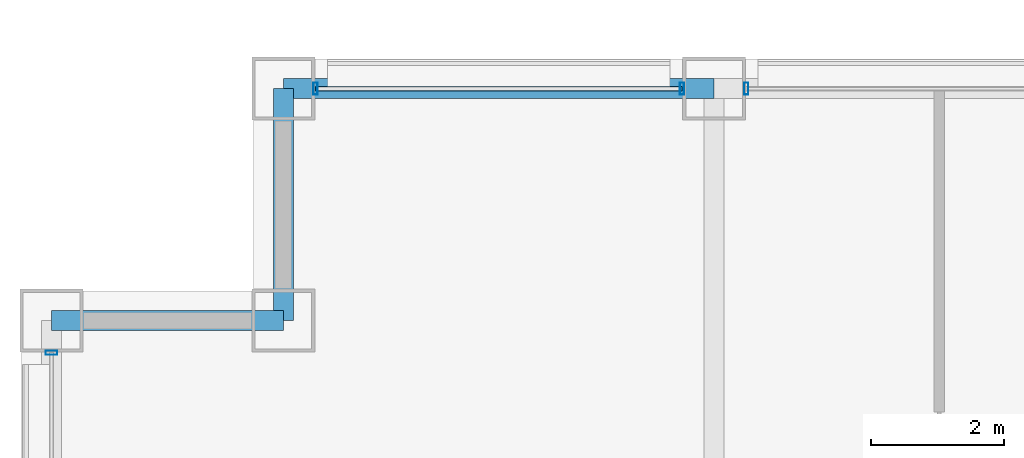
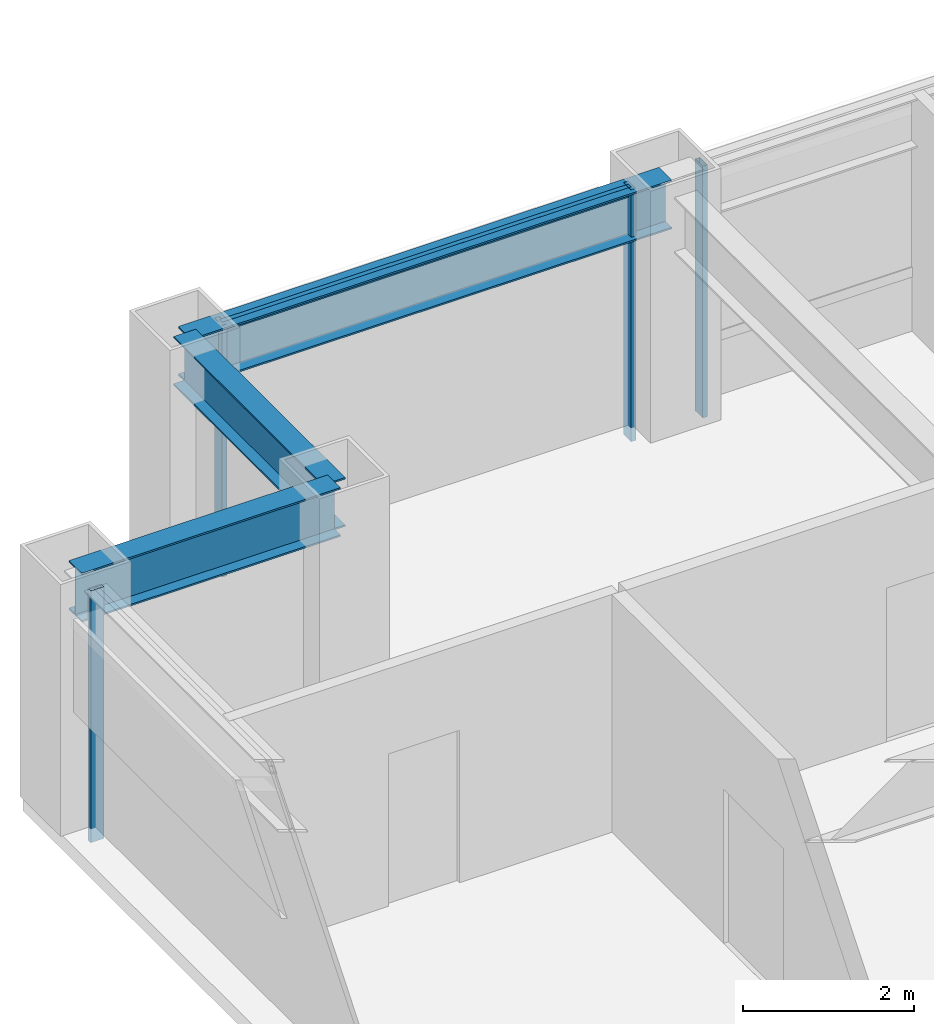
# One storey, part 17 of 28: 5 members, 3 beams, 3 elements without a shape of their own.
"""IFC4 building model written with IfcOpenShell, lengths in metres."""

from ifc_helpers import new_model, si_unit, direction, frame, origin, origin_2d, place, context, subcontext, project, spatial, hollow_rectangle, i_section, extrude, material, layer, layer_set, material_profile, profile_set, type_object, element, aggregate, save


model = new_model("IFC4")

# Units and contexts
model_context = context("Model", 3, precision=1e-05, world=origin(), true_north=direction((0.0, 1.0)))
body_context = subcontext(model_context, "Body", "Model", "MODEL_VIEW")
ifc_project = project(units=[si_unit("LENGTHUNIT", "METRE"), si_unit("AREAUNIT", "SQUARE_METRE"), si_unit("VOLUMEUNIT", "CUBIC_METRE"), si_unit("PLANEANGLEUNIT", "RADIAN"), si_unit("MASSUNIT", "GRAM", prefix="KILO")], contexts=[model_context])

# Site, building, storey
site_placement = place(None, origin())
site = spatial("IfcSite", under=ifc_project, at=site_placement, CompositionType="ELEMENT")
building_placement = place(site_placement, origin())
building = spatial("IfcBuilding", under=site, at=building_placement, Name="Brelmoor Portico Tower", CompositionType="ELEMENT")
storey_placement = place(building_placement, frame((0.0, 0.0, 49.199951171875)))
storey = spatial("IfcBuildingStorey", under=building, at=storey_placement, Name="L12", CompositionType="ELEMENT", Elevation=49.199951171875)

# Beams
ifc_material_1 = material(Name="Steel Q355B", Category="steel")
ifc_material_profile_1 = material_profile(ifc_material_1, i_section(OverallWidth=0.300048828125, OverallDepth=0.699951171875, WebThickness=0.012939453125, FlangeThickness=0.02392578125, at=origin_2d()), Name="HN 700x300x13x24")
ifc_profile_set_1 = profile_set([ifc_material_profile_1], Name="Steel Q355B")
beam_type = type_object("IfcBeamType", Name="BM-SP-700", PredefinedType="SPANDREL", material=ifc_profile_set_1)
beam_1_placement = place(storey_placement, frame((-24.550048828125, 18.050048828125, 3.050048828125), z_axis=(1.0, 0.0, 0.0), x_axis=(0.0, 1.0, 0.0)))
element("IfcBeam", 1, at=beam_1_placement, inside=storey, type_object=beam_type, Name="L12 Perimeter Spandrel Beam SP-08", PredefinedType="SPANDREL", context=body_context, shape_type="SweptSolid", body=[
    extrude(i_section(OverallWidth=0.300048828125, OverallDepth=0.699951171875, WebThickness=0.012939453125, FlangeThickness=0.02392578125, at=origin_2d()), origin(), (0.0, 0.0, 1.0), 3.5),
])
beam_2_placement = place(storey_placement, frame((-21.050048828125, 21.550048828125, 3.050048828125), z_axis=(1.0, 0.0, 0.0), x_axis=(0.0, 1.0, 0.0)))
element("IfcBeam", 2, at=beam_2_placement, inside=storey, type_object=beam_type, Name="L12 Perimeter Spandrel Beam SP-10", PredefinedType="SPANDREL", context=body_context, shape_type="SweptSolid", body=[
    extrude(i_section(OverallWidth=0.300048828125, OverallDepth=0.699951171875, WebThickness=0.012939453125, FlangeThickness=0.02392578125, at=origin_2d()), origin(), (0.0, 0.0, 1.0), 6.5),
])
beam_3_placement = place(storey_placement, frame((-21.050048828125, 18.050048828125, 3.050048828125), z_axis=(0.0, 1.0, 0.0), x_axis=(-1.0, 0.0, 0.0)))
element("IfcBeam", 3, at=beam_3_placement, inside=storey, type_object=beam_type, Name="L12 Perimeter Spandrel Beam SP-19", PredefinedType="SPANDREL", context=body_context, shape_type="SweptSolid", body=[
    extrude(i_section(OverallWidth=0.300048828125, OverallDepth=0.699951171875, WebThickness=0.012939453125, FlangeThickness=0.02392578125, at=origin_2d()), origin(), (0.0, 0.0, 1.0), 3.5),
])

# Curtain wall, members
ifc_material_2 = material(Name="Anodised Aluminium Alloy 6063-T6", Category="aluminium")
ifc_layer_1 = layer(ifc_material_2, 0.179931640625)
ifc_layer_set_1 = layer_set([ifc_layer_1], Name="Anodised Aluminium Alloy 6063-T6")
curtain_wall_type_1 = type_object("IfcCurtainWallType", Name="CW-TOWER-Z1-XB", PredefinedType="NOTDEFINED", material=ifc_layer_set_1)
curtain_wall_1_placement = place(storey_placement, origin())
curtain_wall_1 = element("IfcCurtainWall", 4, at=curtain_wall_1_placement, inside=storey, type_object=curtain_wall_type_1, Name="L12 Curtain Wall CW-L12-02-1", PredefinedType="NOTDEFINED")
ifc_material_profile_2 = material_profile(ifc_material_2, hollow_rectangle(XDim=0.06494140625, YDim=0.179931640625, WallThickness=0.00390625, at=origin_2d()), Name="ALU MULLION 65x180")
ifc_profile_set_2 = profile_set([ifc_material_profile_2], Name="Anodised Aluminium Alloy 6063-T6")
member_type_1 = type_object("IfcMemberType", Name="MB-CW-MULL-180", PredefinedType="MULLION", material=ifc_profile_set_2)
member_1_placement = place(storey_placement, frame((-20.56494140625, 21.550048828125, -0.199951171875), z_axis=(0.0, 0.0, 1.0), x_axis=(1.0, 0.0, 0.0)))
member_1 = element("IfcMember", 5, at=member_1_placement, type_object=member_type_1, Name="CW-L12-02-1 Mullion 00", PredefinedType="MULLION", context=body_context, shape_type="SweptSolid", body=[
    extrude(hollow_rectangle(XDim=0.06494140625, YDim=0.179931640625, WallThickness=0.00390625, at=origin_2d()), origin(), (0.0, 0.0, 1.0), 3.60009765625),
])
member_2_placement = place(storey_placement, frame((-15.034912109375, 21.550048828125, -0.199951171875), z_axis=(0.0, 0.0, 1.0), x_axis=(1.0, 0.0, 0.0)))
member_2 = element("IfcMember", 6, at=member_2_placement, type_object=member_type_1, Name="CW-L12-02-1 Mullion 01", PredefinedType="MULLION", context=body_context, shape_type="SweptSolid", body=[
    extrude(hollow_rectangle(XDim=0.06494140625, YDim=0.179931640625, WallThickness=0.00390625, at=origin_2d()), origin(), (0.0, 0.0, 1.0), 3.60009765625),
])

# Curtain wall, member
ifc_layer_2 = layer(ifc_material_2, 0.179931640625)
ifc_layer_set_2 = layer_set([ifc_layer_2], Name="Anodised Aluminium Alloy 6063-T6")
curtain_wall_type_2 = type_object("IfcCurtainWallType", Name="CW-TOWER-Z1", PredefinedType="NOTDEFINED", material=ifc_layer_set_2)
curtain_wall_2_placement = place(storey_placement, origin())
curtain_wall_2 = element("IfcCurtainWall", 7, at=curtain_wall_2_placement, inside=storey, type_object=curtain_wall_type_2, Name="L12 Curtain Wall CW-L12-02-2", PredefinedType="NOTDEFINED")
member_3_placement = place(storey_placement, frame((-14.06494140625, 21.550048828125, -0.199951171875), z_axis=(0.0, 0.0, 1.0), x_axis=(1.0, 0.0, 0.0)))
member_3 = element("IfcMember", 8, at=member_3_placement, type_object=member_type_1, Name="CW-L12-02-2 Mullion 00", PredefinedType="MULLION", context=body_context, shape_type="SweptSolid", body=[
    extrude(hollow_rectangle(XDim=0.06494140625, YDim=0.179931640625, WallThickness=0.00390625, at=origin_2d()), origin(), (0.0, 0.0, 1.0), 3.60009765625),
])
aggregate(curtain_wall_2, [member_3])

curtain_wall_3_placement = place(storey_placement, origin())
curtain_wall_3 = element("IfcCurtainWall", 9, at=curtain_wall_3_placement, inside=storey, type_object=curtain_wall_type_1, Name="L12 Curtain Wall CW-L12-03-3", PredefinedType="NOTDEFINED")
member_4_placement = place(storey_placement, frame((-24.550048828125, 17.56494140625, -0.199951171875), z_axis=(0.0, 0.0, 1.0), x_axis=(0.0, 1.0, 0.0)))
member_4 = element("IfcMember", 10, at=member_4_placement, type_object=member_type_1, Name="CW-L12-03-3 Mullion 01", PredefinedType="MULLION", context=body_context, shape_type="SweptSolid", body=[
    extrude(hollow_rectangle(XDim=0.06494140625, YDim=0.179931640625, WallThickness=0.00390625, at=origin_2d()), origin(), (0.0, 0.0, 1.0), 3.60009765625),
])
aggregate(curtain_wall_3, [member_4])

# Member
ifc_material_profile_3 = material_profile(ifc_material_2, hollow_rectangle(XDim=0.06494140625, YDim=0.139892578125, WallThickness=0.00390625, at=origin_2d()), Name="ALU TRANSOM 65x140")
ifc_profile_set_3 = profile_set([ifc_material_profile_3], Name="Anodised Aluminium Alloy 6063-T6")
member_type_2 = type_object("IfcMemberType", Name="MB-CW-TRAN-140", PredefinedType="USERDEFINED", material=ifc_profile_set_3)
member_5_placement = place(storey_placement, frame((-20.56494140625, 21.550048828125, 3.330078125), z_axis=(1.0, 0.0, 0.0), x_axis=(0.0, 1.0, 0.0)))
member_5 = element("IfcMember", 11, at=member_5_placement, type_object=member_type_2, Name="CW-L12-02-1 Transom 1-00", ObjectType="TRANSOM", PredefinedType="USERDEFINED", context=body_context, shape_type="SweptSolid", body=[
    extrude(hollow_rectangle(XDim=0.06494140625, YDim=0.139892578125, WallThickness=0.00390625, at=origin_2d()), origin(), (0.0, 0.0, 1.0), 5.530029296875),
])

aggregate(curtain_wall_1, [member_1, member_2, member_5])

save(model, "model.ifc")
